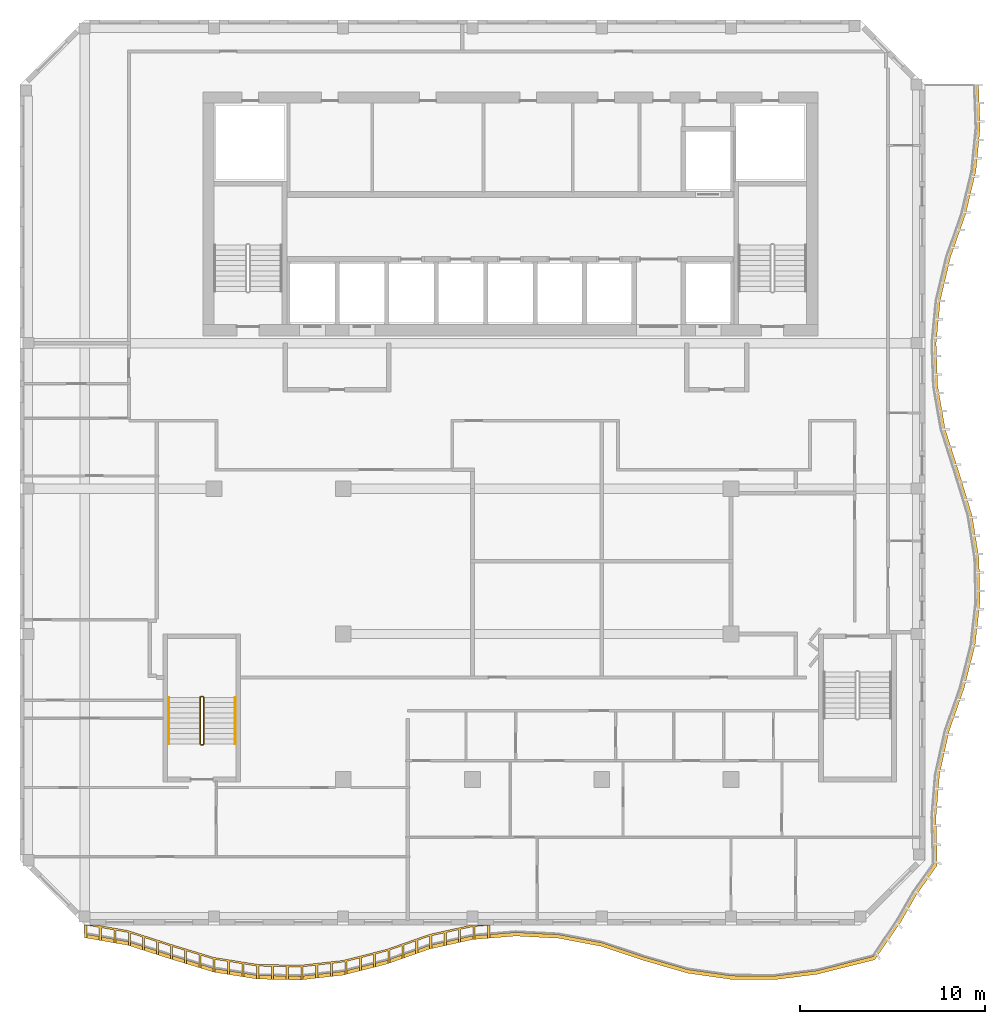
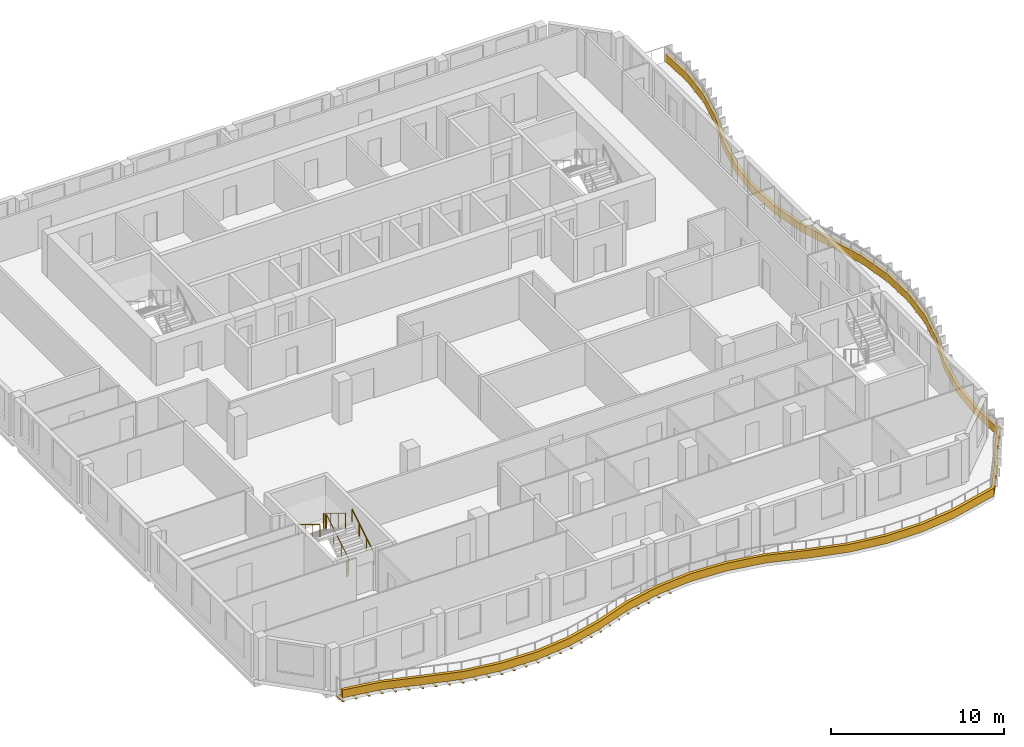
# One storey, part 12 of 14: 3 railings, 2 shading devices.
"""IFC4 building model written with IfcOpenShell, lengths in metres."""

from ifc_helpers import new_model, si_unit, direction, frame, origin, origin_2d, place, context, subcontext, project, spatial, polyline, circle, outline, extrude, source, transform, mapped, material, layer, layer_set, type_object, element, save


model = new_model("IFC4")

# Units and contexts
model_context = context("Model", 3, precision=1e-05, world=origin(), true_north=direction((0.0, 1.0)))
body_context = subcontext(model_context, "Body", "Model", "MODEL_VIEW")
ifc_project = project(units=[si_unit("LENGTHUNIT", "METRE"), si_unit("AREAUNIT", "SQUARE_METRE"), si_unit("VOLUMEUNIT", "CUBIC_METRE"), si_unit("PLANEANGLEUNIT", "RADIAN"), si_unit("MASSUNIT", "GRAM", prefix="KILO")], contexts=[model_context])

# Site, building, storey
site_placement = place(None, origin())
site = spatial("IfcSite", under=ifc_project, at=site_placement, CompositionType="ELEMENT")
building_placement = place(site_placement, origin())
building = spatial("IfcBuilding", under=site, at=building_placement, Name="Kilnfold Tower and Market Hall", CompositionType="ELEMENT")
storey_placement = place(building_placement, frame((0.0, 0.0, 315.39990234375)))
storey = spatial("IfcBuildingStorey", under=building, at=storey_placement, Name="L79", CompositionType="ELEMENT", Elevation=315.39990234375)

# Railings
ifc_material_1 = material(Name="Stainless steel 316", Category="steel")
railing_type_1 = type_object("IfcRailingType", Name="CORE STAIR GUARD 1100", PredefinedType="GUARDRAIL", material=ifc_material_1)
railing_1_placement = place(storey_placement, frame((-15.699951171875, -13.75, 0.0)))
element("IfcRailing", 1, at=railing_1_placement, inside=storey, type_object=railing_type_1, Name="L79 ST3 stair guard 1", PredefinedType="GUARDRAIL", context=body_context, shape_type="SweptSolid", body=[
    extrude(circle(Radius=0.02392578125, at=origin_2d()), frame((0.0, 0.0, 1.076171875), z_axis=(1.0, 0.0, 0.0), x_axis=(0.0, 1.0, 0.0)), (0.0, 0.0, 1.0), 0.099853515625),
    extrude(circle(Radius=0.02392578125, at=origin_2d()), frame((0.099853515625, 0.0, 1.076171875), z_axis=(0.271562723297, 0.271562723297, 0.923313259209), x_axis=(-0.707106781187, 0.707106781187, 0.0)), (0.0, 0.0, 1.0), 0.184326171875),
    extrude(circle(Radius=0.02392578125, at=origin_2d()), frame((0.14990234375, 0.050048828125, 1.24609375), z_axis=(0.0, 0.85478489116, 0.518982456201), x_axis=(-1.0, 0.0, 0.0)), (0.0, 0.0, 1.0), 2.9482421875),
    extrude(circle(Radius=0.02392578125, at=origin_2d()), frame((0.14990234375, 2.570068359375, 2.7763671875), z_axis=(-0.707106781187, 0.707106781187, 0.0), x_axis=(-0.707106781187, -0.707106781187, 0.0)), (0.0, 0.0, 1.0), 0.07080078125),
    extrude(circle(Radius=0.02392578125, at=origin_2d()), frame((0.099853515625, 2.6201171875, 2.7763671875), z_axis=(-1.0, 0.0, 0.0), x_axis=(0.0, -1.0, 0.0)), (0.0, 0.0, 1.0), 0.099853515625),
    extrude(circle(Radius=0.02392578125, at=origin_2d()), frame((0.0, 2.6201171875, 2.7763671875), z_axis=(-0.271895245746, -0.271895245746, 0.923117517265), x_axis=(0.707106781187, -0.707106781187, 0.0)), (0.0, 0.0, 1.0), 0.18408203125),
    extrude(circle(Radius=0.02392578125, at=origin_2d()), frame((-0.050048828125, 2.570068359375, 2.9462890625), z_axis=(0.0, -0.85478489116, 0.518982456201), x_axis=(1.0, 0.0, 0.0)), (0.0, 0.0, 1.0), 2.9482421875),
    extrude(circle(Radius=0.02099609375, at=origin_2d()), origin(), (0.0, 0.0, 1.0), 1.052001953125),
    extrude(circle(Radius=0.02099609375, at=origin_2d()), frame((0.099853515625, 0.0, 0.0)), (0.0, 0.0, 1.0), 1.052001953125),
    extrude(circle(Radius=0.02099609375, at=origin_2d()), frame((0.14990234375, 0.050048828125, 0.170166015625)), (0.0, 0.0, 1.0), 1.052001953125),
    extrude(circle(Radius=0.02099609375, at=origin_2d()), frame((0.14990234375, 0.89013671875, 0.68017578125)), (0.0, 0.0, 1.0), 1.052001953125),
    extrude(circle(Radius=0.02099609375, at=origin_2d()), frame((0.14990234375, 1.72998046875, 1.190185546875)), (0.0, 0.0, 1.0), 1.052001953125),
    extrude(circle(Radius=0.02099609375, at=origin_2d()), frame((0.14990234375, 2.570068359375, 1.7001953125)), (0.0, 0.0, 1.0), 1.052001953125),
    extrude(circle(Radius=0.02099609375, at=origin_2d()), frame((0.099853515625, 2.6201171875, 1.7001953125)), (0.0, 0.0, 1.0), 1.052001953125),
    extrude(circle(Radius=0.02099609375, at=origin_2d()), frame((0.0, 2.6201171875, 1.7001953125)), (0.0, 0.0, 1.0), 1.052001953125),
    extrude(circle(Radius=0.02099609375, at=origin_2d()), frame((-0.050048828125, 2.570068359375, 1.8701171875)), (0.0, 0.0, 1.0), 1.052001953125),
    extrude(circle(Radius=0.02099609375, at=origin_2d()), frame((-0.050048828125, 1.72998046875, 2.380126953125)), (0.0, 0.0, 1.0), 1.052001953125),
    extrude(circle(Radius=0.02099609375, at=origin_2d()), frame((-0.050048828125, 0.89013671875, 2.89013671875)), (0.0, 0.0, 1.0), 1.052001953125),
    extrude(circle(Radius=0.02099609375, at=origin_2d()), frame((-0.050048828125, 0.050048828125, 3.400146484375)), (0.0, 0.0, 1.0), 1.052001953125),
])
ifc_material_2 = material(Name="Stainless steel 316", Category="steel")
railing_type_2 = type_object("IfcRailingType", Name="CORE STAIR HANDRAIL 900", PredefinedType="HANDRAIL", material=ifc_material_2)
railing_2_placement = place(storey_placement, frame((-13.85009765625, -13.699951171875, 0.170166015625)))
element("IfcRailing", 2, at=railing_2_placement, inside=storey, type_object=railing_type_2, Name="L79 ST3 stair handrail 1", PredefinedType="HANDRAIL", context=body_context, shape_type="SweptSolid", body=[
    extrude(circle(Radius=0.02392578125, at=origin_2d()), frame((0.0, 0.0, 0.8759765625), z_axis=(0.0, 0.85478489116, 0.518982456201), x_axis=(-1.0, 0.0, 0.0)), (0.0, 0.0, 1.0), 2.9482421875),
    extrude(circle(Radius=0.02099609375, at=origin_2d()), origin(), (0.0, 0.0, 1.0), 0.851806640625),
    extrude(circle(Radius=0.02099609375, at=origin_2d()), frame((0.0, 0.840087890625, 0.510009765625)), (0.0, 0.0, 1.0), 0.851806640625),
    extrude(circle(Radius=0.02099609375, at=origin_2d()), frame((0.0, 1.679931640625, 1.02001953125)), (0.0, 0.0, 1.0), 0.851806640625),
    extrude(circle(Radius=0.02099609375, at=origin_2d()), frame((0.0, 2.52001953125, 1.530029296875)), (0.0, 0.0, 1.0), 0.851806640625),
])
railing_3_placement = place(storey_placement, frame((-17.449951171875, -11.179931640625, 1.8701171875)))
element("IfcRailing", 3, at=railing_3_placement, inside=storey, type_object=railing_type_2, Name="L79 ST3 stair handrail 2", PredefinedType="HANDRAIL", context=body_context, shape_type="SweptSolid", body=[
    extrude(circle(Radius=0.02392578125, at=origin_2d()), frame((0.0, 0.0, 0.8759765625), z_axis=(0.0, -0.85478489116, 0.518982456201), x_axis=(1.0, 0.0, 0.0)), (0.0, 0.0, 1.0), 2.9482421875),
    extrude(circle(Radius=0.02099609375, at=origin_2d()), origin(), (0.0, 0.0, 1.0), 0.851806640625),
    extrude(circle(Radius=0.02099609375, at=origin_2d()), frame((0.0, -0.840087890625, 0.510009765625)), (0.0, 0.0, 1.0), 0.851806640625),
    extrude(circle(Radius=0.02099609375, at=origin_2d()), frame((0.0, -1.679931640625, 1.02001953125)), (0.0, 0.0, 1.0), 0.851806640625),
    extrude(circle(Radius=0.02099609375, at=origin_2d()), frame((0.0, -2.52001953125, 1.530029296875)), (0.0, 0.0, 1.0), 0.851806640625),
])

# Shading devices
ifc_material_3 = material(Name="Precast concrete C50/60", Category="concrete")
ifc_layer_1 = layer(ifc_material_3, 0.550048828125)
ifc_layer_set_1 = layer_set([ifc_layer_1], Name="Precast concrete C50/60")
shading_device_type_1 = type_object("IfcShadingDeviceType", Name="BALCONY UPSTAND 550", PredefinedType="USERDEFINED", material=ifc_layer_set_1)
shared_shape_1 = source(origin(), body_context, "Body", "SweptSolid", [
    extrude(outline(polyline([(-22.0, -24.19482421875), (-19.666748046875, -24.601318359375), (-17.333251953125, -25.349609375), (-15.0, -26.059814453125), (-12.666748046875, -26.43017578125), (-10.333251953125, -26.48291015625), (-8.0, -26.220458984375), (-5.666748046875, -25.62841796875), (-3.333251953125, -24.812744140625), (-1.0, -24.294921875), (1.333251953125, -24.10205078125), (3.666748046875, -24.22314453125), (6.0, -24.6650390625), (8.333251953125, -25.444091796875), (10.666748046875, -26.115478515625), (13.0, -26.450927734375), (15.333251953125, -26.4697265625), (17.666748046875, -26.1728515625), (20.781982421875, -25.3876953125), (22.189208984375, -23.35595703125), (23.040771484375, -21.8740234375), (24.16748046875, -20.276611328125), (24.10205078125, -17.666748046875), (24.295654296875, -15.333251953125), (24.814208984375, -13.0), (25.629638671875, -10.666748046875), (26.22119140625, -8.333251953125), (26.48291015625, -6.0), (26.4296875, -3.666748046875), (26.05859375, -1.333251953125), (25.347900390625, 1.0), (24.60009765625, 3.333251953125), (24.1943359375, 5.666748046875), (24.10791015625, 8.0), (24.335693359375, 10.333251953125), (24.890869140625, 12.666748046875), (25.71044921875, 15.0), (26.26513671875, 17.333251953125), (26.4921875, 19.666748046875), (26.4052734375, 22.0), (26.205078125, 22.0), (26.292236328125, 19.666748046875), (26.065185546875, 17.333251953125), (25.510498046875, 15.0), (24.69091796875, 12.666748046875), (24.1357421875, 10.333251953125), (23.90771484375, 8.0), (23.994384765625, 5.666748046875), (24.400146484375, 3.333251953125), (25.14794921875, 1.0), (25.858642578125, -1.333251953125), (26.229736328125, -3.666748046875), (26.282958984375, -6.0), (26.021240234375, -8.333251953125), (25.4296875, -10.666748046875), (24.614013671875, -13.0), (24.095703125, -15.333251953125), (23.902099609375, -17.666748046875), (23.98291015625, -20.199951171875), (22.8994140625, -21.732666015625), (22.0478515625, -23.214599609375), (20.705322265625, -25.202880859375), (17.666748046875, -25.972900390625), (15.333251953125, -26.269775390625), (13.0, -26.2509765625), (10.666748046875, -25.91552734375), (8.333251953125, -25.244140625), (6.0, -24.465087890625), (3.666748046875, -24.023193359375), (1.333251953125, -23.902099609375), (-1.0, -24.094970703125), (-3.333251953125, -24.61279296875), (-5.666748046875, -25.42822265625), (-8.0, -26.0205078125), (-10.333251953125, -26.28271484375), (-12.666748046875, -26.22998046875), (-15.0, -25.859619140625), (-17.333251953125, -25.149658203125), (-19.666748046875, -24.401123046875), (-22.0, -23.994873046875), (-22.0, -24.19482421875)])), origin(), (0.0, 0.0, 1.0), 0.550048828125),
])
shading_device_1_placement = place(storey_placement, origin())
element("IfcShadingDevice", 4, at=shading_device_1_placement, inside=storey, type_object=shading_device_type_1, Name="Balcony fascia L79", ObjectType="FASCIA", PredefinedType="USERDEFINED", context=body_context, shape_type="MappedRepresentation", body=[
    mapped(shared_shape_1, transform((0.0, 0.0, 0.0))),
])
ifc_material_4 = material(Name="Bronze anodised aluminium", Category="aluminium")
ifc_layer_2 = layer(ifc_material_4, 0.080078125)
ifc_layer_set_2 = layer_set([ifc_layer_2], Name="Bronze anodised aluminium")
shading_device_type_2 = type_object("IfcShadingDeviceType", Name="BRONZE SLAT SOFFIT 80", PredefinedType="USERDEFINED", material=ifc_layer_set_2)
shared_shape_2 = source(origin(), body_context, "Body", "SweptSolid", [
    extrude(outline(polyline([(-22.0, -23.5), (-21.39599609375, -23.5), (-19.666748046875, -23.80126953125), (-17.333251953125, -24.5498046875), (-15.0, -25.259765625), (-12.666748046875, -25.630126953125), (-10.333251953125, -25.682861328125), (-8.0, -25.42041015625), (-5.666748046875, -24.828369140625), (-3.333251953125, -24.0126953125), (-1.0224609375, -23.5), (0.1484375, -23.5), (-0.0546875, -23.516845703125), (-0.0546875, -24.216796875), (-0.17431640625, -24.226806640625), (-0.17431640625, -23.526611328125), (-0.85205078125, -23.582763671875), (-0.85205078125, -24.28271484375), (-0.9716796875, -24.292724609375), (-0.9716796875, -23.5927734375), (-1.635986328125, -23.736083984375), (-1.635986328125, -24.436279296875), (-1.753173828125, -24.462158203125), (-1.753173828125, -23.76220703125), (-2.4169921875, -23.909423828125), (-2.4169921875, -24.609619140625), (-2.5341796875, -24.635498046875), (-2.5341796875, -23.935546875), (-3.197998046875, -24.082763671875), (-3.197998046875, -24.78271484375), (-3.315185546875, -24.808837890625), (-3.315185546875, -24.10888671875), (-3.957763671875, -24.3310546875), (-3.957763671875, -25.031005859375), (-4.071044921875, -25.070556640625), (-4.071044921875, -24.37060546875), (-4.712890625, -24.594970703125), (-4.712890625, -25.294921875), (-4.826171875, -25.334716796875), (-4.826171875, -24.634521484375), (-5.468017578125, -24.85888671875), (-5.468017578125, -25.558837890625), (-5.581298828125, -25.598388671875), (-5.581298828125, -24.8984375), (-6.23828125, -25.073486328125), (-6.23828125, -25.7734375), (-6.3544921875, -25.802978515625), (-6.3544921875, -25.102783203125), (-7.013671875, -25.270263671875), (-7.013671875, -25.97021484375), (-7.1298828125, -25.999755859375), (-7.1298828125, -25.2998046875), (-7.7890625, -25.467041015625), (-7.7890625, -26.1669921875), (-7.905517578125, -26.196533203125), (-7.905517578125, -25.49658203125), (-8.57861328125, -25.585693359375), (-8.57861328125, -26.28564453125), (-8.697998046875, -26.299072265625), (-8.697998046875, -25.59912109375), (-9.373779296875, -25.6748046875), (-9.373779296875, -26.375), (-9.492919921875, -26.38818359375), (-9.492919921875, -25.688232421875), (-10.168701171875, -25.764404296875), (-10.168701171875, -26.46435546875), (-10.2880859375, -26.477783203125), (-10.2880859375, -25.777587890625), (-10.967529296875, -25.7685546875), (-10.967529296875, -26.468505859375), (-11.08740234375, -26.4658203125), (-11.08740234375, -25.765869140625), (-11.767333984375, -25.75048828125), (-11.767333984375, -26.450439453125), (-11.88720703125, -26.44775390625), (-11.88720703125, -25.747802734375), (-12.567138671875, -25.732421875), (-12.567138671875, -26.432373046875), (-12.666748046875, -26.43017578125), (-12.686767578125, -26.427001953125), (-12.686767578125, -25.726806640625), (-13.3583984375, -25.620361328125), (-13.3583984375, -26.3203125), (-13.476806640625, -26.301513671875), (-13.476806640625, -25.6015625), (-14.1484375, -25.494873046875), (-14.1484375, -26.19482421875), (-14.26708984375, -26.176025390625), (-14.26708984375, -25.47607421875), (-14.938720703125, -25.369384765625), (-14.938720703125, -26.0693359375), (-15.0, -26.059814453125), (-15.055419921875, -26.04296875), (-15.055419921875, -25.343017578125), (-15.705810546875, -25.14501953125), (-15.705810546875, -25.844970703125), (-15.82080078125, -25.81005859375), (-15.82080078125, -25.110107421875), (-16.47119140625, -24.912109375), (-16.47119140625, -25.612060546875), (-16.586181640625, -25.5771484375), (-16.586181640625, -24.877197265625), (-17.236572265625, -24.67919921875), (-17.236572265625, -25.379150390625), (-17.351318359375, -25.343994140625), (-17.351318359375, -24.643798828125), (-17.998779296875, -24.436279296875), (-17.998779296875, -25.13623046875), (-18.113037109375, -25.099609375), (-18.113037109375, -24.399658203125), (-18.760498046875, -24.19189453125), (-18.760498046875, -24.891845703125), (-18.875, -24.855224609375), (-18.875, -24.1552734375), (-19.5224609375, -23.947509765625), (-19.5224609375, -24.6474609375), (-19.63671875, -24.61083984375), (-19.63671875, -23.910888671875), (-20.305419921875, -23.789794921875), (-20.305419921875, -24.489990234375), (-20.423583984375, -24.46923828125), (-20.423583984375, -23.769287109375), (-21.093505859375, -23.652587890625), (-21.093505859375, -24.352783203125), (-21.2119140625, -24.33203125), (-21.2119140625, -23.632080078125), (-21.8818359375, -23.515380859375), (-21.8818359375, -24.21533203125), (-22.0, -24.19482421875), (-22.0, -23.5)])), origin(), (0.0, 0.0, 1.0), 0.079833984375),
])
shading_device_2_placement = place(storey_placement, frame((0.0, 0.0, -0.2998046875)))
element("IfcShadingDevice", 5, at=shading_device_2_placement, inside=storey, type_object=shading_device_type_2, Name="Balcony soffit slats L79", ObjectType="SLAT", PredefinedType="USERDEFINED", context=body_context, shape_type="MappedRepresentation", body=[
    mapped(shared_shape_2, transform((0.0, 0.0, 0.0))),
])

save(model, "model.ifc")
